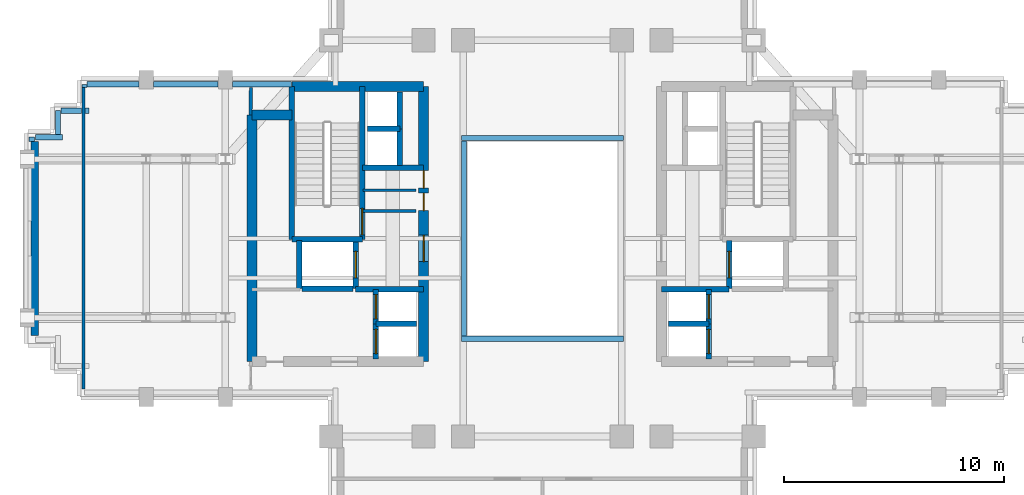
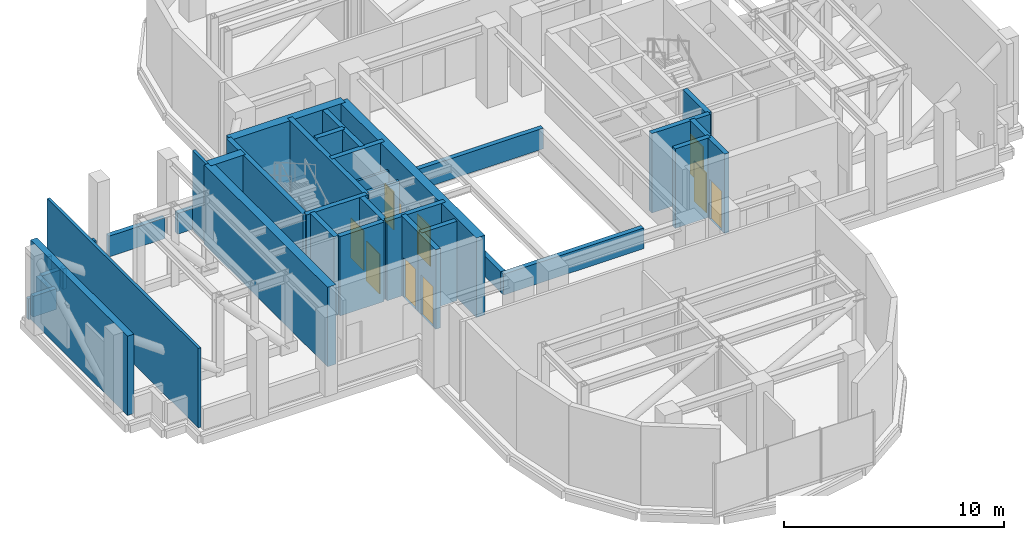
# One storey, part 6 of 11: 40 walls, 10 doors, 10 openings.
"""IFC4 building model written with IfcOpenShell, lengths in metres."""

from ifc_helpers import new_model, si_unit, direction, frame, frame_2d, origin, place, context, subcontext, project, spatial, rectangle, extrude, source, transform, mapped, material, layer, layer_set, type_object, element, fill, save


model = new_model("IFC4")

# Units and contexts
model_context = context("Model", 3, precision=1e-05, world=origin(), true_north=direction((0.0, 1.0)))
body_context = subcontext(model_context, "Body", "Model", "MODEL_VIEW")
ifc_project = project(units=[si_unit("LENGTHUNIT", "METRE"), si_unit("AREAUNIT", "SQUARE_METRE"), si_unit("VOLUMEUNIT", "CUBIC_METRE"), si_unit("PLANEANGLEUNIT", "RADIAN"), si_unit("MASSUNIT", "GRAM", prefix="KILO")], contexts=[model_context])

# Site, building, storey
site_placement = place(None, origin())
site = spatial("IfcSite", under=ifc_project, at=site_placement, CompositionType="ELEMENT")
building_placement = place(site_placement, origin())
building = spatial("IfcBuilding", under=site, at=building_placement, Name="Keilestroom Media Tower", CompositionType="ELEMENT")
storey_placement = place(building_placement, frame((0.0, 0.0, 151.60009765625)))
storey = spatial("IfcBuildingStorey", under=building, at=storey_placement, Name="L41", CompositionType="ELEMENT", Elevation=151.60009765625)

# Walls
ifc_material_1 = material(Name="Precast concrete C40/50", Category="concrete")
ifc_layer_1 = layer(ifc_material_1, 0.340087890625)
ifc_layer_set_1 = layer_set([ifc_layer_1], Name="Precast concrete C40/50")
wall_type_1 = type_object("IfcWallType", Name="Exterior-Masonry-Spandrel-Wall-340", PredefinedType="SOLIDWALL", material=ifc_layer_set_1)
wall_1_placement = place(storey_placement, frame((-23.050048828125, -4.39990234375, 0.0), z_axis=(0.0, 0.0, 1.0), x_axis=(0.0, 1.0, 0.0)))
element("IfcWall", 1, at=wall_1_placement, inside=storey, type_object=wall_type_1, Name="L41 Plant Masonry Screen Wall W", PredefinedType="SOLIDWALL", context=body_context, shape_type="SweptSolid", body=[
    extrude(rectangle(XDim=8.7998046875, YDim=0.340087890625, at=frame_2d((4.39990234375, 0.0))), origin(), (0.0, 0.0, 1.0), 4.39990234375),
])
ifc_material_2 = material(Name="Gypsum Plasterboard & Steel Stud", Category="steel")
ifc_layer_2 = layer(ifc_material_2, 0.1201171875)
ifc_layer_set_2 = layer_set([ifc_layer_2], Name="Gypsum Plasterboard & Steel Stud")
wall_type_2 = type_object("IfcWallType", Name="Interior-Partition-Wall-120", PredefinedType="PARTITIONING", material=ifc_layer_set_2)
wall_2_placement = place(storey_placement, frame((-8.139892578125, 2.179931640625, 0.0), z_axis=(0.0, 0.0, 1.0), x_axis=(1.0, 0.0, 0.0)))
element("IfcWall", 2, at=wall_2_placement, inside=storey, type_object=wall_type_2, Name="L41 Interior Wall WP-L41-CNW-N", PredefinedType="PARTITIONING", context=body_context, shape_type="SweptSolid", body=[
    extrude(rectangle(XDim=2.389892578125, YDim=0.1201171875, at=frame_2d((1.19482421875, 0.0))), origin(), (0.0, 0.0, 1.0), 3.5),
])
ifc_layer_3 = layer(ifc_material_2, 0.14990234375)
ifc_layer_set_3 = layer_set([ifc_layer_3], Name="Gypsum Plasterboard & Steel Stud")
wall_type_3 = type_object("IfcWallType", Name="Interior-Partition-Wall-150", PredefinedType="PARTITIONING", material=ifc_layer_set_3)
wall_3_placement = place(storey_placement, frame((-8.139892578125, 1.239990234375, 0.0), z_axis=(0.0, 0.0, 1.0), x_axis=(1.0, 0.0, 0.0)))
element("IfcWall", 3, at=wall_3_placement, inside=storey, type_object=wall_type_3, Name="L41 Interior Wall WP-L41-FFW-TOP", PredefinedType="PARTITIONING", context=body_context, shape_type="SweptSolid", body=[
    extrude(rectangle(XDim=2.389892578125, YDim=0.14990234375, at=frame_2d((1.19482421875, 0.0))), origin(), (0.0, 0.0, 1.0), 3.5),
])
wall_4_placement = place(storey_placement, frame((-13.260009765625, 5.60009765625, 0.0), z_axis=(0.0, 0.0, 1.0), x_axis=(0.016013571389, 0.999871774545, 0.0)))
element("IfcWall", 4, at=wall_4_placement, inside=storey, type_object=wall_type_3, Name="L41 Interior Wall WP-L41-REF-WNK", PredefinedType="PARTITIONING", context=body_context, shape_type="SweptSolid", body=[
    extrude(rectangle(XDim=1.250244140625, YDim=0.14990234375, at=frame_2d((0.625, 0.0))), origin(), (0.0, 0.0, 1.0), 4.39990234375),
])
wall_5_placement = place(storey_placement, frame((-20.85009765625, -6.85009765625, 0.0), z_axis=(0.0, 0.0, 1.0), x_axis=(0.0, 1.0, 0.0)))
element("IfcWall", 5, at=wall_5_placement, inside=storey, type_object=wall_type_3, Name="L41 Interior Wall WP-L41-REF-WW", PredefinedType="PARTITIONING", context=body_context, shape_type="SweptSolid", body=[
    extrude(rectangle(XDim=13.7001953125, YDim=0.14990234375, at=frame_2d((6.85009765625, 0.0))), origin(), (0.0, 0.0, 1.0), 4.39990234375),
])
ifc_material_3 = material(Name="Concrete C55/67", Category="concrete")
ifc_layer_4 = layer(ifc_material_3, 0.449951171875)
ifc_layer_set_4 = layer_set([ifc_layer_4], Name="Concrete C55/67")
wall_type_4 = type_object("IfcWallType", Name="Reinforced-Concrete-Core-Shear-Wall-450", PredefinedType="SHEAR", material=ifc_layer_set_4)
wall_6_placement = place(storey_placement, frame((-13.199951171875, -5.60009765625, 0.0), z_axis=(0.0, 0.0, 1.0), x_axis=(0.0, 1.0, 0.0)))
element("IfcWall", 6, at=wall_6_placement, inside=storey, type_object=wall_type_4, Name="L41 Core Shear Wall WL-L41-CORE-W-OUT", PredefinedType="SHEAR", context=body_context, shape_type="SweptSolid", body=[
    extrude(rectangle(XDim=11.2001953125, YDim=0.449951171875, at=frame_2d((5.60009765625, 0.0))), origin(), (0.0, 0.0, 1.0), 4.39990234375),
])

# Wall, openings, doors
wall_7_placement = place(storey_placement, frame((-5.39990234375, -5.60009765625, 0.0), z_axis=(0.0, 0.0, 1.0), x_axis=(0.0, 1.0, 0.0)))
wall_7 = element("IfcWall", 7, at=wall_7_placement, inside=storey, type_object=wall_type_4, Name="L41 Core Shear Wall WL-L41-CORE-W-IN", PredefinedType="SHEAR", context=body_context, shape_type="SweptSolid", body=[
    extrude(rectangle(XDim=12.5, YDim=0.449951171875, at=frame_2d((6.25, 0.0))), origin(), (0.0, 0.0, 1.0), 4.39990234375),
])
opening_1_placement = place(wall_7_placement, frame((4.550048828125, 0.0, 0.0)))
opening_1 = element("IfcOpeningElement", 8, at=opening_1_placement, cuts=wall_7, Name="Opening DI-02", PredefinedType="OPENING", context=body_context, shape_type="SweptSolid", body=[
    extrude(rectangle(XDim=1.199951171875, YDim=2.199951171875, at=frame_2d((0.60009765625, 1.10009765625))), frame((0.0, 0.23486328125, 0.0), z_axis=(0.0, -1.0, 0.0), x_axis=(1.0, 0.0, 0.0)), (0.0, 0.0, 1.0), 0.469970703125),
])
opening_2_placement = place(wall_7_placement, frame((6.860107421875, 0.0, 0.0)))
opening_2 = element("IfcOpeningElement", 9, at=opening_2_placement, cuts=wall_7, Name="Opening DI-06", PredefinedType="OPENING", context=body_context, shape_type="SweptSolid", body=[
    extrude(rectangle(XDim=0.800048828125, YDim=2.10009765625, at=frame_2d((0.39990234375, 1.050048828125))), frame((0.0, 0.23486328125, 0.0), z_axis=(0.0, -1.0, 0.0), x_axis=(1.0, 0.0, 0.0)), (0.0, 0.0, 1.0), 0.469970703125),
])
opening_3_placement = place(wall_7_placement, frame((7.8798828125, 0.0, 0.0)))
opening_3 = element("IfcOpeningElement", 10, at=opening_3_placement, cuts=wall_7, Name="Opening DI-06", PredefinedType="OPENING", context=body_context, shape_type="SweptSolid", body=[
    extrude(rectangle(XDim=0.800048828125, YDim=2.10009765625, at=frame_2d((0.39990234375, 1.050048828125))), frame((0.0, 0.23486328125, 0.0), z_axis=(0.0, -1.0, 0.0), x_axis=(1.0, 0.0, 0.0)), (0.0, 0.0, 1.0), 0.469970703125),
])
ifc_material_4 = material(Name="Powder-Coated Steel Fire Leaf", Category="steel")
door_type_1 = type_object("IfcDoorType", Name="Interior-Compartment-Fire-Door-DI-02", OperationType="NOTDEFINED", PredefinedType="DOOR", material=ifc_material_4)
shared_shape_1 = source(origin(), body_context, "Body", "SweptSolid", [
    extrude(rectangle(XDim=1.199951171875, YDim=2.199951171875, at=frame_2d((0.60009765625, 1.10009765625))), frame((0.0, 0.02490234375, 0.0), z_axis=(0.0, -1.0, 0.0), x_axis=(1.0, 0.0, 0.0)), (0.0, 0.0, 1.0), 0.050048828125),
])
door_1_placement = place(opening_1_placement, origin())
door_1 = element("IfcDoor", 11, at=door_1_placement, inside=storey, type_object=door_type_1, Name="L41 W Firefighting Lobby Door", OperationType="SINGLE_SWING_RIGHT", OverallHeight=2.199951171875, OverallWidth=1.199951171875, PredefinedType="DOOR", context=body_context, shape_type="MappedRepresentation", body=[
    mapped(shared_shape_1, transform((0.0, 0.0, 0.0), x_axis=(1.0, 0.0, 0.0), y_axis=(0.0, 1.0, 0.0), z_axis=(0.0, 0.0, 1.0), scale=1.0)),
])
fill(opening_1, door_1)
ifc_material_5 = material(Name="Powder-Coated Steel Service Leaf", Category="steel")
door_type_2 = type_object("IfcDoorType", Name="Interior-Riser-Access-Door-DI-06", OperationType="NOTDEFINED", PredefinedType="DOOR", material=ifc_material_5)
shared_shape_2 = source(origin(), body_context, "Body", "SweptSolid", [
    extrude(rectangle(XDim=0.800048828125, YDim=2.10009765625, at=frame_2d((0.39990234375, 1.050048828125))), frame((0.0, 0.02490234375, 0.0), z_axis=(0.0, -1.0, 0.0), x_axis=(1.0, 0.0, 0.0)), (0.0, 0.0, 1.0), 0.050048828125),
])
door_2_placement = place(opening_2_placement, origin())
door_2 = element("IfcDoor", 12, at=door_2_placement, inside=storey, type_object=door_type_2, Name="L41 West Core Switchroom Door", OperationType="SINGLE_SWING_LEFT", OverallHeight=2.10009765625, OverallWidth=0.800048828125, PredefinedType="DOOR", context=body_context, shape_type="MappedRepresentation", body=[
    mapped(shared_shape_2, transform((0.0, 0.0, 0.0), x_axis=(1.0, 0.0, 0.0), y_axis=(0.0, 1.0, 0.0), z_axis=(0.0, 0.0, 1.0), scale=1.0)),
])
fill(opening_2, door_2)
door_3_placement = place(opening_3_placement, origin())
door_3 = element("IfcDoor", 13, at=door_3_placement, inside=storey, type_object=door_type_2, Name="L41 West Core Closet Door", OperationType="SINGLE_SWING_LEFT", OverallHeight=2.10009765625, OverallWidth=0.800048828125, PredefinedType="DOOR", context=body_context, shape_type="MappedRepresentation", body=[
    mapped(shared_shape_2, transform((0.0, 0.0, 0.0), x_axis=(1.0, 0.0, 0.0), y_axis=(0.0, 1.0, 0.0), z_axis=(0.0, 0.0, 1.0), scale=1.0)),
])
fill(opening_3, door_3)

# Walls
wall_8_placement = place(storey_placement, frame((-11.381103515625, 6.89990234375, 0.0), z_axis=(0.0, 0.0, 1.0), x_axis=(1.0, 0.0, 0.0)))
element("IfcWall", 14, at=wall_8_placement, inside=storey, type_object=wall_type_4, Name="L41 Core Shear Wall WL-L41-CORE-W-N", PredefinedType="SHEAR", context=body_context, shape_type="SweptSolid", body=[
    extrude(rectangle(XDim=5.981201171875, YDim=0.449951171875, at=frame_2d((2.99072265625, 0.0))), origin(), (0.0, 0.0, 1.0), 4.39990234375),
])
wall_9_placement = place(storey_placement, frame((-13.199951171875, 5.60009765625, 0.0), z_axis=(0.0, 0.0, 1.0), x_axis=(1.0, 0.0, 0.0)))
element("IfcWall", 15, at=wall_9_placement, inside=storey, type_object=wall_type_4, Name="L41 Core Shear Wall WL-L41-CNW-N", PredefinedType="SHEAR", context=body_context, shape_type="SweptSolid", body=[
    extrude(rectangle(XDim=1.81884765625, YDim=0.449951171875, at=frame_2d((0.909423828125, 0.0))), origin(), (0.0, 0.0, 1.0), 4.39990234375),
])
ifc_material_6 = material(Name="Concrete C50/60", Category="concrete")
ifc_layer_5 = layer(ifc_material_6, 0.25)
ifc_layer_set_5 = layer_set([ifc_layer_5], Name="Concrete C50/60")
wall_type_5 = type_object("IfcWallType", Name="Reinforced-Concrete-Shaft-Wall-250", PredefinedType="SOLIDWALL", material=ifc_layer_set_5)
wall_10_placement = place(storey_placement, frame((-8.179931640625, 3.219970703125, 0.0), z_axis=(0.0, 0.0, 1.0), x_axis=(1.0, 0.0, 0.0)))
element("IfcWall", 16, at=wall_10_placement, inside=storey, type_object=wall_type_5, Name="L41 Core Shear Wall WL-L41-CORE-W-FFN", PredefinedType="SOLIDWALL", context=body_context, shape_type="SweptSolid", body=[
    extrude(rectangle(XDim=2.780029296875, YDim=0.25, at=frame_2d((1.39013671875, 0.0))), origin(), (0.0, 0.0, 1.0), 4.39990234375),
])
wall_11_placement = place(storey_placement, frame((-8.47998046875, -2.300048828125, 0.0), z_axis=(0.0, 0.0, 1.0), x_axis=(1.0, 0.0, 0.0)))
element("IfcWall", 17, at=wall_11_placement, inside=storey, type_object=wall_type_5, Name="L41 Core Shear Wall WL-L41-CORE-W-FFS", PredefinedType="SOLIDWALL", context=body_context, shape_type="SweptSolid", body=[
    extrude(rectangle(XDim=3.080078125, YDim=0.25, at=frame_2d((1.5400390625, 0.0))), origin(), (0.0, 0.0, 1.0), 4.39990234375),
])

# Wall, opening, door
wall_12_placement = place(storey_placement, frame((-8.178955078125, -0.041015625, 0.0), z_axis=(0.0, 0.0, 1.0), x_axis=(0.0, 1.0, 0.0)))
wall_12 = element("IfcWall", 18, at=wall_12_placement, inside=storey, type_object=wall_type_5, Name="L41 Core Shear Wall WL-L41-STW-W-NEAR", PredefinedType="SOLIDWALL", context=body_context, shape_type="SweptSolid", body=[
    extrude(rectangle(XDim=6.94091796875, YDim=0.25, at=frame_2d((3.470458984375, 0.0))), origin(), (0.0, 0.0, 1.0), 4.39990234375),
])
opening_4_placement = place(wall_12_placement, frame((0.199951171875, 0.0, 0.0)))
opening_4 = element("IfcOpeningElement", 19, at=opening_4_placement, cuts=wall_12, Name="Opening DI-01S", PredefinedType="OPENING", context=body_context, shape_type="SweptSolid", body=[
    extrude(rectangle(XDim=1.199951171875, YDim=2.199951171875, at=frame_2d((0.60009765625, 1.10009765625))), frame((0.0, 0.135009765625, 0.0), z_axis=(0.0, -1.0, 0.0), x_axis=(1.0, 0.0, 0.0)), (0.0, 0.0, 1.0), 0.27001953125),
])
door_type_3 = type_object("IfcDoorType", Name="Interior-Stair-And-Core-Fire-Door-DI-01", OperationType="NOTDEFINED", PredefinedType="DOOR", material=ifc_material_4)
door_4_placement = place(opening_4_placement, origin())
door_4 = element("IfcDoor", 20, at=door_4_placement, inside=storey, type_object=door_type_3, Name="L41 Escape Stair ST-1 Fire Door", OperationType="SINGLE_SWING_LEFT", OverallHeight=2.199951171875, OverallWidth=1.199951171875, PredefinedType="DOOR", context=body_context, shape_type="MappedRepresentation", body=[
    mapped(shared_shape_1, transform((0.0, 0.0, 0.0), x_axis=(1.0, 0.0, 0.0), y_axis=(0.0, 1.0, 0.0), z_axis=(0.0, 0.0, 1.0), scale=1.0)),
])
fill(opening_4, door_4)

# Walls
wall_13_placement = place(storey_placement, frame((-11.381103515625, -0.041015625, 0.0), z_axis=(0.0, 0.0, 1.0), x_axis=(0.0, 1.0, 0.0)))
element("IfcWall", 21, at=wall_13_placement, inside=storey, type_object=wall_type_5, Name="L41 Core Shear Wall WL-L41-STW-W-FAR", PredefinedType="SOLIDWALL", context=body_context, shape_type="SweptSolid", body=[
    extrude(rectangle(XDim=6.94091796875, YDim=0.25, at=frame_2d((3.470458984375, 0.0))), origin(), (0.0, 0.0, 1.0), 4.39990234375),
])
wall_14_placement = place(storey_placement, frame((-11.381103515625, -0.041015625, 0.0), z_axis=(0.0, 0.0, 1.0), x_axis=(1.0, 0.0, 0.0)))
element("IfcWall", 22, at=wall_14_placement, inside=storey, type_object=wall_type_5, Name="L41 Core Shear Wall WL-L41-STW-W-S", PredefinedType="SOLIDWALL", context=body_context, shape_type="SweptSolid", body=[
    extrude(rectangle(XDim=3.2021484375, YDim=0.25, at=frame_2d((1.60107421875, 0.0))), origin(), (0.0, 0.0, 1.0), 4.39990234375),
])
wall_15_placement = place(storey_placement, frame((5.39990234375, -2.300048828125, 0.0), z_axis=(0.0, 0.0, 1.0), x_axis=(1.0, 0.0, 0.0)))
element("IfcWall", 23, at=wall_15_placement, inside=storey, type_object=wall_type_5, Name="L41 Core Shear Wall WL-L41-CORE-E-FFS", PredefinedType="SOLIDWALL", context=body_context, shape_type="SweptSolid", body=[
    extrude(rectangle(XDim=3.080078125, YDim=0.25, at=frame_2d((1.5400390625, 0.0))), origin(), (0.0, 0.0, 1.0), 4.39990234375),
])
wall_16_placement = place(storey_placement, frame((-11.050048828125, -2.280029296875, 0.0), z_axis=(0.0, 0.0, 1.0), x_axis=(0.0, 1.0, 0.0)))
element("IfcWall", 24, at=wall_16_placement, inside=storey, type_object=wall_type_5, Name="L41 Core Shear Wall WL-L41-LSH-FFL-1-W", PredefinedType="SOLIDWALL", context=body_context, shape_type="SweptSolid", body=[
    extrude(rectangle(XDim=2.179931640625, YDim=0.25, at=frame_2d((1.08984375, 0.0))), origin(), (0.0, 0.0, 1.0), 4.39990234375),
])

# Wall, opening, door
wall_17_placement = place(storey_placement, frame((-8.47998046875, -2.280029296875, 0.0), z_axis=(0.0, 0.0, 1.0), x_axis=(0.0, 1.0, 0.0)))
wall_17 = element("IfcWall", 25, at=wall_17_placement, inside=storey, type_object=wall_type_5, Name="L41 Core Shear Wall WL-L41-LSH-FFL-1-E", PredefinedType="SOLIDWALL", context=body_context, shape_type="SweptSolid", body=[
    extrude(rectangle(XDim=2.179931640625, YDim=0.25, at=frame_2d((1.08984375, 0.0))), origin(), (0.0, 0.0, 1.0), 4.39990234375),
])
opening_5_placement = place(wall_17_placement, frame((0.489990234375, 0.0, 0.0)))
opening_5 = element("IfcOpeningElement", 26, at=opening_5_placement, cuts=wall_17, Name="Opening LD-02", PredefinedType="OPENING", context=body_context, shape_type="SweptSolid", body=[
    extrude(rectangle(XDim=1.199951171875, YDim=2.199951171875, at=frame_2d((0.60009765625, 1.10009765625))), frame((0.0, 0.135009765625, 0.0), z_axis=(0.0, -1.0, 0.0), x_axis=(1.0, 0.0, 0.0)), (0.0, 0.0, 1.0), 0.27001953125),
])
ifc_material_7 = material(Name="Brushed Stainless Steel Sliding Leaf", Category="steel")
door_type_4 = type_object("IfcDoorType", Name="Lift-Landing-Sliding-Door-LD-02", OperationType="SLIDING_TO_RIGHT", PredefinedType="DOOR", material=ifc_material_7)
door_5_placement = place(opening_5_placement, origin())
door_5 = element("IfcDoor", 27, at=door_5_placement, inside=storey, type_object=door_type_4, Name="L41 Lift FFL-1 Landing Sliding Door", OperationType="SLIDING_TO_RIGHT", OverallHeight=2.199951171875, OverallWidth=1.199951171875, PredefinedType="DOOR", context=body_context, shape_type="MappedRepresentation", body=[
    mapped(shared_shape_1, transform((0.0, 0.0, 0.0), x_axis=(1.0, 0.0, 0.0), y_axis=(0.0, 1.0, 0.0), z_axis=(0.0, 0.0, 1.0), scale=1.0)),
])
fill(opening_5, door_5)

# Wall
wall_18_placement = place(storey_placement, frame((-10.9208984375, -2.280029296875, 0.0), z_axis=(0.0, 0.0, 1.0), x_axis=(1.0, 0.0, 0.0)))
element("IfcWall", 28, at=wall_18_placement, inside=storey, type_object=wall_type_5, Name="L41 Core Shear Wall WL-L41-LSH-FFL-1-S", PredefinedType="SOLIDWALL", context=body_context, shape_type="SweptSolid", body=[
    extrude(rectangle(XDim=2.31201171875, YDim=0.25, at=frame_2d((1.156005859375, 0.0))), origin(), (0.0, 0.0, 1.0), 4.39990234375),
])

# Wall, opening, door
wall_19_placement = place(storey_placement, frame((8.47998046875, -2.280029296875, 0.0), z_axis=(0.0, 0.0, 1.0), x_axis=(0.0, 1.0, 0.0)))
wall_19 = element("IfcWall", 29, at=wall_19_placement, inside=storey, type_object=wall_type_5, Name="L41 Core Shear Wall WL-L41-LSH-FFL-2-W", PredefinedType="SOLIDWALL", context=body_context, shape_type="SweptSolid", body=[
    extrude(rectangle(XDim=2.179931640625, YDim=0.25, at=frame_2d((1.08984375, 0.0))), origin(), (0.0, 0.0, 1.0), 4.39990234375),
])
opening_6_placement = place(wall_19_placement, frame((0.489990234375, 0.0, 0.0)))
opening_6 = element("IfcOpeningElement", 30, at=opening_6_placement, cuts=wall_19, Name="Opening LD-02", PredefinedType="OPENING", context=body_context, shape_type="SweptSolid", body=[
    extrude(rectangle(XDim=1.199951171875, YDim=2.199951171875, at=frame_2d((0.60009765625, 1.10009765625))), frame((0.0, 0.135009765625, 0.0), z_axis=(0.0, -1.0, 0.0), x_axis=(1.0, 0.0, 0.0)), (0.0, 0.0, 1.0), 0.27001953125),
])
door_6_placement = place(opening_6_placement, origin())
door_6 = element("IfcDoor", 31, at=door_6_placement, inside=storey, type_object=door_type_4, Name="L41 Lift FFL-2 Landing Sliding Door", OperationType="SLIDING_TO_RIGHT", OverallHeight=2.199951171875, OverallWidth=1.199951171875, PredefinedType="DOOR", context=body_context, shape_type="MappedRepresentation", body=[
    mapped(shared_shape_1, transform((0.0, 0.0, 0.0), x_axis=(1.0, 0.0, 0.0), y_axis=(0.0, 1.0, 0.0), z_axis=(0.0, 0.0, 1.0), scale=1.0)),
])
fill(opening_6, door_6)

wall_20_placement = place(storey_placement, frame((-7.56005859375, -5.47998046875, 0.0), z_axis=(0.0, 0.0, 1.0), x_axis=(0.0, 1.0, 0.0)))
wall_20 = element("IfcWall", 32, at=wall_20_placement, inside=storey, type_object=wall_type_5, Name="L41 Core Shear Wall WL-L41-LSH-PL-M1-W", PredefinedType="SOLIDWALL", context=body_context, shape_type="SweptSolid", body=[
    extrude(rectangle(XDim=1.60009765625, YDim=0.25, at=frame_2d((0.800048828125, 0.0))), origin(), (0.0, 0.0, 1.0), 4.39990234375),
])
opening_7_placement = place(wall_20_placement, frame((0.25, 0.0, 0.0)))
opening_7 = element("IfcOpeningElement", 33, at=opening_7_placement, cuts=wall_20, Name="Opening LD-01", PredefinedType="OPENING", context=body_context, shape_type="SweptSolid", body=[
    extrude(rectangle(XDim=1.10009765625, YDim=2.199951171875, at=frame_2d((0.550048828125, 1.10009765625))), frame((0.0, 0.135009765625, 0.0), z_axis=(0.0, -1.0, 0.0), x_axis=(1.0, 0.0, 0.0)), (0.0, 0.0, 1.0), 0.27001953125),
])
door_type_5 = type_object("IfcDoorType", Name="Lift-Landing-Sliding-Door-LD-01", OperationType="SLIDING_TO_LEFT", PredefinedType="DOOR", material=ifc_material_7)
shared_shape_3 = source(origin(), body_context, "Body", "SweptSolid", [
    extrude(rectangle(XDim=1.10009765625, YDim=2.199951171875, at=frame_2d((0.550048828125, 1.10009765625))), frame((0.0, 0.02490234375, 0.0), z_axis=(0.0, -1.0, 0.0), x_axis=(1.0, 0.0, 0.0)), (0.0, 0.0, 1.0), 0.050048828125),
])
door_7_placement = place(opening_7_placement, origin())
door_7 = element("IfcDoor", 34, at=door_7_placement, inside=storey, type_object=door_type_5, Name="L41 Lift PL-M1 Landing Sliding Door", OperationType="SLIDING_TO_LEFT", OverallHeight=2.199951171875, OverallWidth=1.10009765625, PredefinedType="DOOR", context=body_context, shape_type="MappedRepresentation", body=[
    mapped(shared_shape_3, transform((0.0, 0.0, 0.0), x_axis=(1.0, 0.0, 0.0), y_axis=(0.0, 1.0, 0.0), z_axis=(0.0, 0.0, 1.0), scale=1.0)),
])
fill(opening_7, door_7)

# Wall
wall_21_placement = place(storey_placement, frame((-7.56005859375, -3.8798828125, 0.0), z_axis=(0.0, 0.0, 1.0), x_axis=(1.0, 0.0, 0.0)))
element("IfcWall", 35, at=wall_21_placement, inside=storey, type_object=wall_type_5, Name="L41 Core Shear Wall WL-L41-LSH-PL-M1-N", PredefinedType="SOLIDWALL", context=body_context, shape_type="SweptSolid", body=[
    extrude(rectangle(XDim=1.840087890625, YDim=0.25, at=frame_2d((0.919921875, 0.0))), origin(), (0.0, 0.0, 1.0), 4.39990234375),
])

# Wall, opening, door
wall_22_placement = place(storey_placement, frame((-7.56005859375, -3.8798828125, 0.0), z_axis=(0.0, 0.0, 1.0), x_axis=(0.0, 1.0, 0.0)))
wall_22 = element("IfcWall", 36, at=wall_22_placement, inside=storey, type_object=wall_type_5, Name="L41 Core Shear Wall WL-L41-LSH-PL-M2-W", PredefinedType="SOLIDWALL", context=body_context, shape_type="SweptSolid", body=[
    extrude(rectangle(XDim=1.559814453125, YDim=0.25, at=frame_2d((0.77978515625, 0.0))), origin(), (0.0, 0.0, 1.0), 4.39990234375),
])
opening_8_placement = place(wall_22_placement, frame((0.22998046875, 0.0, 0.0)))
opening_8 = element("IfcOpeningElement", 37, at=opening_8_placement, cuts=wall_22, Name="Opening LD-01", PredefinedType="OPENING", context=body_context, shape_type="SweptSolid", body=[
    extrude(rectangle(XDim=1.10009765625, YDim=2.199951171875, at=frame_2d((0.550048828125, 1.10009765625))), frame((0.0, 0.135009765625, 0.0), z_axis=(0.0, -1.0, 0.0), x_axis=(1.0, 0.0, 0.0)), (0.0, 0.0, 1.0), 0.27001953125),
])
door_8_placement = place(opening_8_placement, origin())
door_8 = element("IfcDoor", 38, at=door_8_placement, inside=storey, type_object=door_type_5, Name="L41 Lift PL-M2 Landing Sliding Door", OperationType="SLIDING_TO_LEFT", OverallHeight=2.199951171875, OverallWidth=1.10009765625, PredefinedType="DOOR", context=body_context, shape_type="MappedRepresentation", body=[
    mapped(shared_shape_3, transform((0.0, 0.0, 0.0), x_axis=(1.0, 0.0, 0.0), y_axis=(0.0, 1.0, 0.0), z_axis=(0.0, 0.0, 1.0), scale=1.0)),
])
fill(opening_8, door_8)

wall_23_placement = place(storey_placement, frame((7.56005859375, -5.47998046875, 0.0), z_axis=(0.0, 0.0, 1.0), x_axis=(0.0, 1.0, 0.0)))
wall_23 = element("IfcWall", 39, at=wall_23_placement, inside=storey, type_object=wall_type_5, Name="L41 Core Shear Wall WL-L41-LSH-PL-M3-E", PredefinedType="SOLIDWALL", context=body_context, shape_type="SweptSolid", body=[
    extrude(rectangle(XDim=1.60009765625, YDim=0.25, at=frame_2d((0.800048828125, 0.0))), origin(), (0.0, 0.0, 1.0), 4.39990234375),
])
opening_9_placement = place(wall_23_placement, frame((0.25, 0.0, 0.0)))
opening_9 = element("IfcOpeningElement", 40, at=opening_9_placement, cuts=wall_23, Name="Opening LD-01", PredefinedType="OPENING", context=body_context, shape_type="SweptSolid", body=[
    extrude(rectangle(XDim=1.10009765625, YDim=2.199951171875, at=frame_2d((0.550048828125, 1.10009765625))), frame((0.0, 0.135009765625, 0.0), z_axis=(0.0, -1.0, 0.0), x_axis=(1.0, 0.0, 0.0)), (0.0, 0.0, 1.0), 0.27001953125),
])
door_9_placement = place(opening_9_placement, origin())
door_9 = element("IfcDoor", 41, at=door_9_placement, inside=storey, type_object=door_type_5, Name="L41 Lift PL-M3 Landing Sliding Door", OperationType="SLIDING_TO_LEFT", OverallHeight=2.199951171875, OverallWidth=1.10009765625, PredefinedType="DOOR", context=body_context, shape_type="MappedRepresentation", body=[
    mapped(shared_shape_3, transform((0.0, 0.0, 0.0), x_axis=(1.0, 0.0, 0.0), y_axis=(0.0, 1.0, 0.0), z_axis=(0.0, 0.0, 1.0), scale=1.0)),
])
fill(opening_9, door_9)

# Wall
wall_24_placement = place(storey_placement, frame((5.719970703125, -3.8798828125, 0.0), z_axis=(0.0, 0.0, 1.0), x_axis=(1.0, 0.0, 0.0)))
element("IfcWall", 42, at=wall_24_placement, inside=storey, type_object=wall_type_5, Name="L41 Core Shear Wall WL-L41-LSH-PL-M3-N", PredefinedType="SOLIDWALL", context=body_context, shape_type="SweptSolid", body=[
    extrude(rectangle(XDim=1.840087890625, YDim=0.25, at=frame_2d((0.919921875, 0.0))), origin(), (0.0, 0.0, 1.0), 4.39990234375),
])

# Wall, opening, door
wall_25_placement = place(storey_placement, frame((7.56005859375, -3.8798828125, 0.0), z_axis=(0.0, 0.0, 1.0), x_axis=(0.0, 1.0, 0.0)))
wall_25 = element("IfcWall", 43, at=wall_25_placement, inside=storey, type_object=wall_type_5, Name="L41 Core Shear Wall WL-L41-LSH-PL-M4-E", PredefinedType="SOLIDWALL", context=body_context, shape_type="SweptSolid", body=[
    extrude(rectangle(XDim=1.559814453125, YDim=0.25, at=frame_2d((0.77978515625, 0.0))), origin(), (0.0, 0.0, 1.0), 4.39990234375),
])
opening_10_placement = place(wall_25_placement, frame((0.22998046875, 0.0, 0.0)))
opening_10 = element("IfcOpeningElement", 44, at=opening_10_placement, cuts=wall_25, Name="Opening LD-01", PredefinedType="OPENING", context=body_context, shape_type="SweptSolid", body=[
    extrude(rectangle(XDim=1.10009765625, YDim=2.199951171875, at=frame_2d((0.550048828125, 1.10009765625))), frame((0.0, 0.135009765625, 0.0), z_axis=(0.0, -1.0, 0.0), x_axis=(1.0, 0.0, 0.0)), (0.0, 0.0, 1.0), 0.27001953125),
])
door_10_placement = place(opening_10_placement, origin())
door_10 = element("IfcDoor", 45, at=door_10_placement, inside=storey, type_object=door_type_5, Name="L41 Lift PL-M4 Landing Sliding Door", OperationType="SLIDING_TO_LEFT", OverallHeight=2.199951171875, OverallWidth=1.10009765625, PredefinedType="DOOR", context=body_context, shape_type="MappedRepresentation", body=[
    mapped(shared_shape_3, transform((0.0, 0.0, 0.0), x_axis=(1.0, 0.0, 0.0), y_axis=(0.0, 1.0, 0.0), z_axis=(0.0, 0.0, 1.0), scale=1.0)),
])
fill(opening_10, door_10)

# Walls
wall_26_placement = place(storey_placement, frame((-6.47998046875, 3.300048828125, 0.0), z_axis=(0.0, 0.0, 1.0), x_axis=(0.0, 1.0, 0.0)))
element("IfcWall", 46, at=wall_26_placement, inside=storey, type_object=wall_type_5, Name="L41 Core Shear Wall WL-L41-LSH-PL-H1-E", PredefinedType="SOLIDWALL", context=body_context, shape_type="SweptSolid", body=[
    extrude(rectangle(XDim=1.679931640625, YDim=0.25, at=frame_2d((0.83984375, 0.0))), origin(), (0.0, 0.0, 1.0), 4.39990234375),
])
wall_27_placement = place(storey_placement, frame((-7.949951171875, 4.97998046875, 0.0), z_axis=(0.0, 0.0, 1.0), x_axis=(1.0, 0.0, 0.0)))
element("IfcWall", 47, at=wall_27_placement, inside=storey, type_object=wall_type_5, Name="L41 Core Shear Wall WL-L41-LSH-PL-H1-N", PredefinedType="SOLIDWALL", context=body_context, shape_type="SweptSolid", body=[
    extrude(rectangle(XDim=1.469970703125, YDim=0.25, at=frame_2d((0.73486328125, 0.0))), origin(), (0.0, 0.0, 1.0), 4.39990234375),
])
wall_28_placement = place(storey_placement, frame((-6.47998046875, 4.97998046875, 0.0), z_axis=(0.0, 0.0, 1.0), x_axis=(0.0, 1.0, 0.0)))
element("IfcWall", 48, at=wall_28_placement, inside=storey, type_object=wall_type_5, Name="L41 Core Shear Wall WL-L41-LSH-PL-H2-E", PredefinedType="SOLIDWALL", context=body_context, shape_type="SweptSolid", body=[
    extrude(rectangle(XDim=1.669921875, YDim=0.25, at=frame_2d((0.8349609375, 0.0))), origin(), (0.0, 0.0, 1.0), 4.39990234375),
])
ifc_layer_6 = layer(ifc_material_1, 0.239990234375)
ifc_layer_set_6 = layer_set([ifc_layer_6], Name="Precast concrete C40/50")
wall_type_6 = type_object("IfcWallType", Name="Roof-And-Terrace-Parapet-Wall-240", PredefinedType="PARAPET", material=ifc_layer_set_6)
wall_29_placement = place(storey_placement, frame((-23.199951171875, 4.403076171875, 0.0), z_axis=(0.0, 0.0, 1.0), x_axis=(0.0, 1.0, 0.0)))
element("IfcWall", 49, at=wall_29_placement, inside=storey, type_object=wall_type_6, Name="L41 Perimeter Edge Parapet Wall 18", PredefinedType="PARAPET", context=body_context, shape_type="SweptSolid", body=[
    extrude(rectangle(XDim=0.197021484375, YDim=0.239990234375, at=frame_2d((0.0986328125, 0.0))), origin(), (0.0, 0.0, 1.0), 1.14990234375),
])
wall_30_placement = place(storey_placement, frame((-23.02880859375, 4.60009765625, 0.0), z_axis=(0.0, 0.0, 1.0), x_axis=(1.0, 0.0, 0.0)))
element("IfcWall", 50, at=wall_30_placement, inside=storey, type_object=wall_type_6, Name="L41 Perimeter Edge Parapet Wall 19", PredefinedType="PARAPET", context=body_context, shape_type="SweptSolid", body=[
    extrude(rectangle(XDim=1.228759765625, YDim=0.239990234375, at=frame_2d((0.6142578125, 0.0))), origin(), (0.0, 0.0, 1.0), 1.14990234375),
])
wall_31_placement = place(storey_placement, frame((-22.0, 4.722900390625, 0.0), z_axis=(0.0, 0.0, 1.0), x_axis=(0.0, 1.0, 0.0)))
element("IfcWall", 51, at=wall_31_placement, inside=storey, type_object=wall_type_6, Name="L41 Perimeter Edge Parapet Wall 20", PredefinedType="PARAPET", context=body_context, shape_type="SweptSolid", body=[
    extrude(rectangle(XDim=1.0771484375, YDim=0.239990234375, at=frame_2d((0.53857421875, 0.0))), origin(), (0.0, 0.0, 1.0), 1.14990234375),
])
wall_32_placement = place(storey_placement, frame((-21.876953125, 5.800048828125, 0.0), z_axis=(0.0, 0.0, 1.0), x_axis=(1.0, 0.0, 0.0)))
element("IfcWall", 52, at=wall_32_placement, inside=storey, type_object=wall_type_6, Name="L41 Perimeter Edge Parapet Wall 21", PredefinedType="PARAPET", context=body_context, shape_type="SweptSolid", body=[
    extrude(rectangle(XDim=0.948974609375, YDim=0.239990234375, at=frame_2d((0.474609375, 0.0))), origin(), (0.0, 0.0, 1.0), 1.14990234375),
])
wall_33_placement = place(storey_placement, frame((-20.77197265625, 5.800048828125, 0.0), z_axis=(0.0, 0.0, 1.0), x_axis=(1.0, 0.0, 0.0)))
element("IfcWall", 53, at=wall_33_placement, inside=storey, type_object=wall_type_6, Name="L41 Perimeter Edge Parapet Wall 22", PredefinedType="PARAPET", context=body_context, shape_type="SweptSolid", body=[
    extrude(rectangle(XDim=0.171875, YDim=0.239990234375, at=frame_2d((0.0859375, 0.0))), origin(), (0.0, 0.0, 1.0), 1.14990234375),
])
wall_34_placement = place(storey_placement, frame((-20.800048828125, 6.85302734375, 0.0), z_axis=(0.0, 0.0, 1.0), x_axis=(0.0, 1.0, 0.0)))
element("IfcWall", 54, at=wall_34_placement, inside=storey, type_object=wall_type_6, Name="L41 Perimeter Edge Parapet Wall 23", PredefinedType="PARAPET", context=body_context, shape_type="SweptSolid", body=[
    extrude(rectangle(XDim=0.14697265625, YDim=0.239990234375, at=frame_2d((0.073486328125, 0.0))), origin(), (0.0, 0.0, 1.0), 1.14990234375),
])
wall_35_placement = place(storey_placement, frame((-20.677001953125, 7.0, 0.0), z_axis=(0.0, 0.0, 1.0), x_axis=(1.0, 0.0, 0.0)))
element("IfcWall", 55, at=wall_35_placement, inside=storey, type_object=wall_type_6, Name="L41 Perimeter Edge Parapet Wall 24", PredefinedType="PARAPET", context=body_context, shape_type="SweptSolid", body=[
    extrude(rectangle(XDim=2.34912109375, YDim=0.239990234375, at=frame_2d((1.174560546875, 0.0))), origin(), (0.0, 0.0, 1.0), 1.14990234375),
])
wall_36_placement = place(storey_placement, frame((-17.672119140625, 7.0, 0.0), z_axis=(0.0, 0.0, 1.0), x_axis=(1.0, 0.0, 0.0)))
element("IfcWall", 56, at=wall_36_placement, inside=storey, type_object=wall_type_6, Name="L41 Perimeter Edge Parapet Wall 25", PredefinedType="PARAPET", context=body_context, shape_type="SweptSolid", body=[
    extrude(rectangle(XDim=2.944091796875, YDim=0.239990234375, at=frame_2d((1.47216796875, 0.0))), origin(), (0.0, 0.0, 1.0), 1.14990234375),
])
wall_37_placement = place(storey_placement, frame((-14.072021484375, 7.0, 0.0), z_axis=(0.0, 0.0, 1.0), x_axis=(1.0, 0.0, 0.0)))
element("IfcWall", 57, at=wall_37_placement, inside=storey, type_object=wall_type_6, Name="L41 Perimeter Edge Parapet Wall 26", PredefinedType="PARAPET", context=body_context, shape_type="SweptSolid", body=[
    extrude(rectangle(XDim=2.6689453125, YDim=0.239990234375, at=frame_2d((1.33447265625, 0.0))), origin(), (0.0, 0.0, 1.0), 1.14990234375),
])
for number, where, z_axis, x_axis, name in (
    (58, (-3.679931640625, -4.56005859375, 0.0), (0.0, 0.0, 1.0), (1.0, 0.0, 0.0), "L41 Central Atrium Guard Parapet S"),
    (59, (-3.679931640625, 4.56005859375, 0.0), (0.0, 0.0, 1.0), (1.0, 0.0, 0.0), "L41 Central Atrium Guard Parapet N"),
):
    element("IfcWall", number, at=place(storey_placement, frame(where, z_axis=z_axis, x_axis=x_axis)), inside=storey, type_object=wall_type_6, Name=name, PredefinedType="PARAPET", context=body_context, shape_type="SweptSolid", body=[
        extrude(rectangle(XDim=7.35986328125, YDim=0.239990234375, at=frame_2d((3.679931640625, 0.0))), origin(), (0.0, 0.0, 1.0), 1.14990234375),
    ])
wall_38_placement = place(storey_placement, frame((-3.56005859375, -4.43505859375, 0.0), z_axis=(0.0, 0.0, 1.0), x_axis=(0.0, 1.0, 0.0)))
element("IfcWall", 60, at=wall_38_placement, inside=storey, type_object=wall_type_6, Name="L41 Central Atrium Guard Parapet W", PredefinedType="PARAPET", context=body_context, shape_type="SweptSolid", body=[
    extrude(rectangle(XDim=8.8701171875, YDim=0.239990234375, at=frame_2d((4.43505859375, 0.0))), origin(), (0.0, 0.0, 1.0), 1.14990234375),
])

save(model, "model.ifc")
